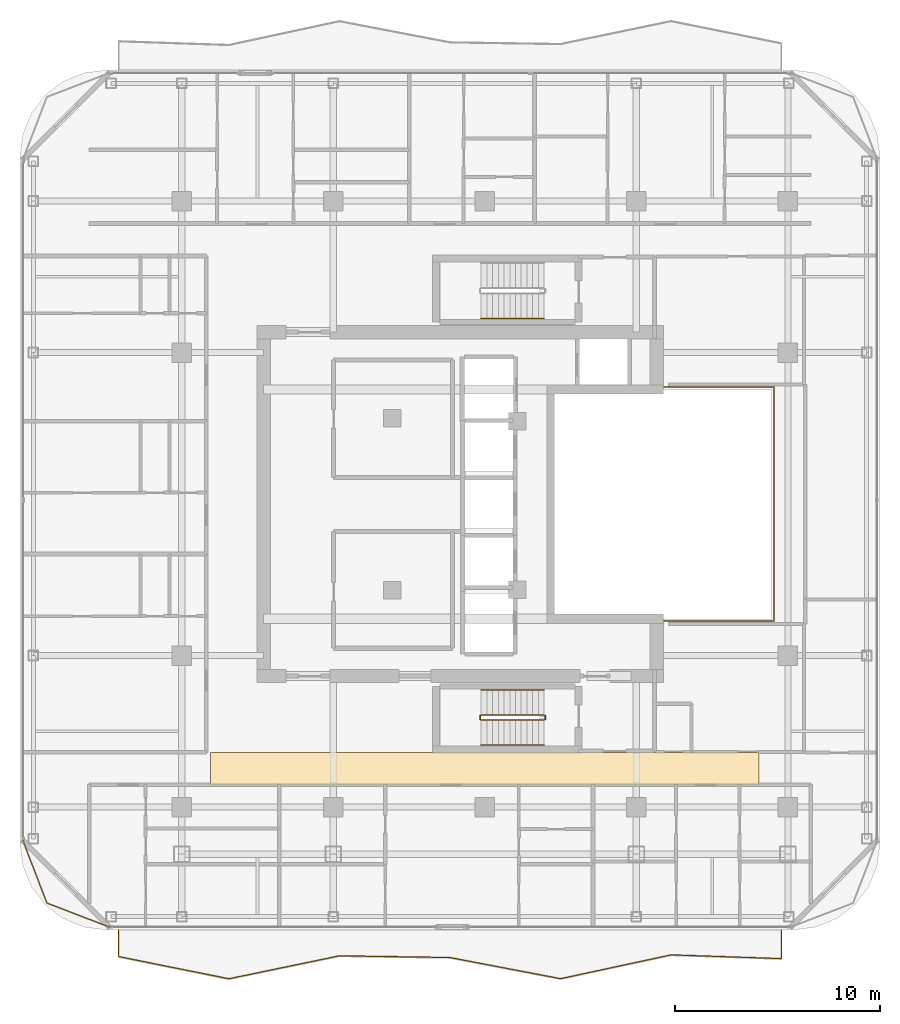
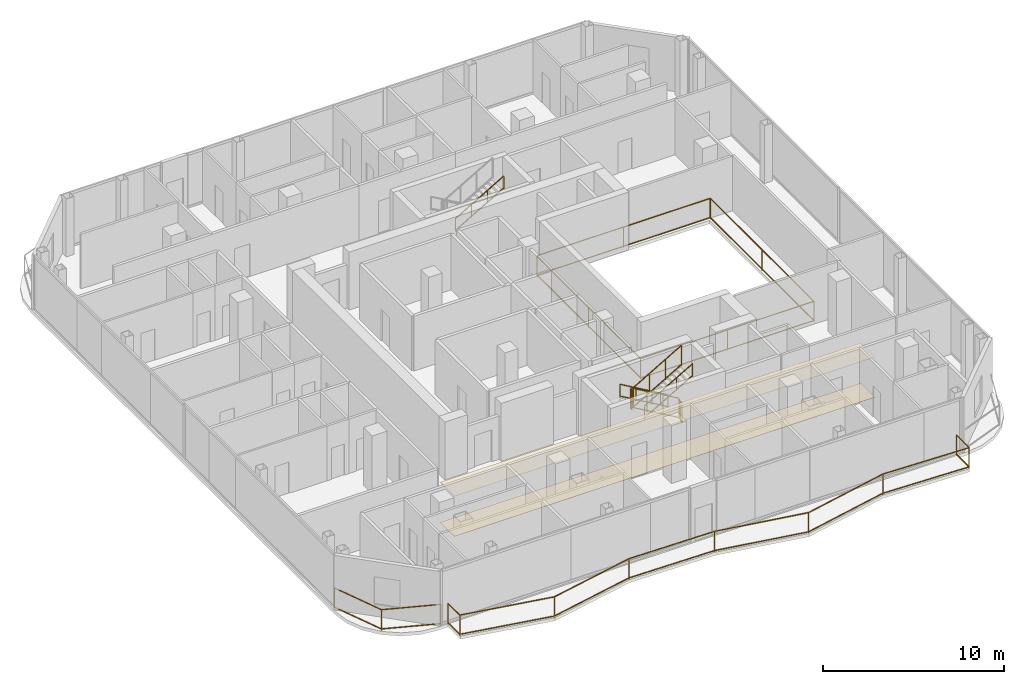
# One storey, part 21 of 23: 10 railings, 2 coverings.
"""IFC4 building model written with IfcOpenShell, lengths in metres."""

from ifc_helpers import new_model, si_unit, direction, frame, origin, origin_2d, place, context, subcontext, project, spatial, polyline, rectangle, outline, extrude, material, layer, layer_set, type_object, element, save


model = new_model("IFC4")

# Units and contexts
model_context = context("Model", 3, precision=1e-05, world=origin(), true_north=direction((0.0, 1.0)))
body_context = subcontext(model_context, "Body", "Model", "MODEL_VIEW")
ifc_project = project(units=[si_unit("LENGTHUNIT", "METRE"), si_unit("AREAUNIT", "SQUARE_METRE"), si_unit("VOLUMEUNIT", "CUBIC_METRE"), si_unit("PLANEANGLEUNIT", "RADIAN"), si_unit("MASSUNIT", "GRAM", prefix="KILO")], contexts=[model_context])

# Site, building, storey
site_placement = place(None, origin())
site = spatial("IfcSite", under=ifc_project, at=site_placement, CompositionType="ELEMENT")
building_placement = place(site_placement, origin())
building = spatial("IfcBuilding", under=site, at=building_placement, Name="Khorvyn Point Tower", CompositionType="ELEMENT")
storey_placement = place(building_placement, frame((0.0, 0.0, 297.60009765625)))
storey = spatial("IfcBuildingStorey", under=building, at=storey_placement, Name="L73", CompositionType="ELEMENT", Elevation=297.60009765625)

# Railings
ifc_material_1 = material(Name="Stainless steel 1.4401 and laminated glass", Category="steel")
railing_type_1 = type_object("IfcRailingType", Name="Crystal Atrium Smoke-Rated Perimeter Guardrail 1400", PredefinedType="GUARDRAIL", material=ifc_material_1)
railing_1_placement = place(storey_placement, frame((3.080078125, -5.719970703125, 0.0)))
element("IfcRailing", 1, at=railing_1_placement, inside=storey, type_object=railing_type_1, Name="L73 Crystal Atrium Perimeter Guardrail", PredefinedType="GUARDRAIL", context=body_context, shape_type="SweptSolid", body=[
    extrude(rectangle(XDim=0.048095703125, YDim=0.048095703125, at=origin_2d()), frame((0.0, 0.0, 1.3759765625), z_axis=(1.0, 0.0, 0.0), x_axis=(0.0, 1.0, 0.0)), (0.0, 0.0, 1.0), 11.0400390625),
    extrude(rectangle(XDim=0.048095703125, YDim=0.048095703125, at=origin_2d()), frame((0.0, 0.0, 0.080078125), z_axis=(1.0, 0.0, 0.0), x_axis=(0.0, 1.0, 0.0)), (0.0, 0.0, 1.0), 11.0400390625),
    extrude(rectangle(XDim=0.048095703125, YDim=0.048095703125, at=origin_2d()), frame((11.0400390625, 0.0, 1.3759765625), z_axis=(0.0, 1.0, 0.0), x_axis=(-1.0, 0.0, 0.0)), (0.0, 0.0, 1.0), 11.43994140625),
    extrude(rectangle(XDim=0.048095703125, YDim=0.048095703125, at=origin_2d()), frame((11.0400390625, 0.0, 0.080078125), z_axis=(0.0, 1.0, 0.0), x_axis=(-1.0, 0.0, 0.0)), (0.0, 0.0, 1.0), 11.43994140625),
    extrude(rectangle(XDim=0.048095703125, YDim=0.048095703125, at=origin_2d()), frame((11.0400390625, 11.43994140625, 1.3759765625), z_axis=(-1.0, 0.0, 0.0), x_axis=(0.0, -1.0, 0.0)), (0.0, 0.0, 1.0), 11.0400390625),
    extrude(rectangle(XDim=0.048095703125, YDim=0.048095703125, at=origin_2d()), frame((11.0400390625, 11.43994140625, 0.080078125), z_axis=(-1.0, 0.0, 0.0), x_axis=(0.0, -1.0, 0.0)), (0.0, 0.0, 1.0), 11.0400390625),
    extrude(rectangle(XDim=0.048095703125, YDim=0.048095703125, at=origin_2d()), frame((0.0, 11.43994140625, 1.3759765625), z_axis=(0.0, -1.0, 0.0), x_axis=(1.0, 0.0, 0.0)), (0.0, 0.0, 1.0), 11.409912109375),
    extrude(rectangle(XDim=0.048095703125, YDim=0.048095703125, at=origin_2d()), frame((0.0, 11.43994140625, 0.080078125), z_axis=(0.0, -1.0, 0.0), x_axis=(1.0, 0.0, 0.0)), (0.0, 0.0, 1.0), 11.409912109375),
    extrude(rectangle(XDim=0.0419921875, YDim=0.0419921875, at=origin_2d()), origin(), (0.0, 0.0, 1.0), 1.351806640625),
    extrude(rectangle(XDim=0.0419921875, YDim=0.0419921875, at=origin_2d()), frame((5.52001953125, 0.0, 0.0)), (0.0, 0.0, 1.0), 1.351806640625),
    extrude(rectangle(XDim=0.0419921875, YDim=0.0419921875, at=origin_2d()), frame((11.0400390625, 0.0, 0.0)), (0.0, 0.0, 1.0), 1.351806640625),
    extrude(rectangle(XDim=0.0419921875, YDim=0.0419921875, at=origin_2d()), frame((11.0400390625, 5.719970703125, 0.0)), (0.0, 0.0, 1.0), 1.351806640625),
    extrude(rectangle(XDim=0.0419921875, YDim=0.0419921875, at=origin_2d()), frame((11.0400390625, 11.43994140625, 0.0)), (0.0, 0.0, 1.0), 1.351806640625),
    extrude(rectangle(XDim=0.0419921875, YDim=0.0419921875, at=origin_2d()), frame((5.52001953125, 11.43994140625, 0.0)), (0.0, 0.0, 1.0), 1.351806640625),
    extrude(rectangle(XDim=0.0419921875, YDim=0.0419921875, at=origin_2d()), frame((0.0, 11.43994140625, 0.0)), (0.0, 0.0, 1.0), 1.351806640625),
    extrude(rectangle(XDim=0.0419921875, YDim=0.0419921875, at=origin_2d()), frame((0.0, 5.73486328125, 0.0)), (0.0, 0.0, 1.0), 1.351806640625),
    extrude(rectangle(XDim=0.0419921875, YDim=0.0419921875, at=origin_2d()), frame((0.0, 0.030029296875, 0.0)), (0.0, 0.0, 1.0), 1.351806640625),
])
ifc_material_2 = material(Name="Anodised aluminium 6063-T6 and laminated safety glass", Category="aluminium")
railing_type_2 = type_object("IfcRailingType", Name="Laminated Glass and Aluminium Balcony Guardrail 1400", PredefinedType="BALUSTRADE", material=ifc_material_2)
railing_2_placement = place(storey_placement, frame((-22.574462890625, -16.386474609375, 0.0)))
element("IfcRailing", 2, at=railing_2_placement, inside=storey, type_object=railing_type_2, Name="L73 Rounded Corner Edge Guardrail SW", PredefinedType="BALUSTRADE", context=body_context, shape_type="SweptSolid", body=[
    extrude(rectangle(XDim=0.048095703125, YDim=0.048095703125, at=origin_2d()), frame((0.0, 0.0, 1.3759765625), z_axis=(0.358367799998, -0.933580483903, 0.0), x_axis=(0.933580483903, 0.358367799998, 0.0)), (0.0, 0.0, 1.0), 3.319091796875),
    extrude(rectangle(XDim=0.048095703125, YDim=0.048095703125, at=origin_2d()), frame((0.0, 0.0, 0.080078125), z_axis=(0.358367799998, -0.933580483903, 0.0), x_axis=(0.933580483903, 0.358367799998, 0.0)), (0.0, 0.0, 1.0), 3.319091796875),
    extrude(rectangle(XDim=0.048095703125, YDim=0.048095703125, at=origin_2d()), frame((1.189453125, -3.0986328125, 1.3759765625), z_axis=(0.933595647299, -0.358328295484, 0.0), x_axis=(0.358328295484, 0.933595647299, 0.0)), (0.0, 0.0, 1.0), 3.31884765625),
    extrude(rectangle(XDim=0.048095703125, YDim=0.048095703125, at=origin_2d()), frame((1.189453125, -3.0986328125, 0.080078125), z_axis=(0.933595647299, -0.358328295484, 0.0), x_axis=(0.358328295484, 0.933595647299, 0.0)), (0.0, 0.0, 1.0), 3.31884765625),
    extrude(rectangle(XDim=0.0419921875, YDim=0.0419921875, at=origin_2d()), origin(), (0.0, 0.0, 1.0), 1.351806640625),
    extrude(rectangle(XDim=0.0419921875, YDim=0.0419921875, at=origin_2d()), frame((1.189453125, -3.0986328125, 0.0)), (0.0, 0.0, 1.0), 1.351806640625),
    extrude(rectangle(XDim=0.0419921875, YDim=0.0419921875, at=origin_2d()), frame((4.287841796875, -4.287841796875, 0.0)), (0.0, 0.0, 1.0), 1.351806640625),
])
railing_3_placement = place(storey_placement, frame((-17.89990234375, -20.800048828125, 0.0)))
element("IfcRailing", 3, at=railing_3_placement, inside=storey, type_object=railing_type_2, Name="L73 South Balcony Guardrail", PredefinedType="BALUSTRADE", context=body_context, shape_type="SweptSolid", body=[
    extrude(rectangle(XDim=0.048095703125, YDim=0.048095703125, at=origin_2d()), frame((0.0, 0.0, 1.3759765625), z_axis=(0.0, -1.0, 0.0), x_axis=(1.0, 0.0, 0.0)), (0.0, 0.0, 1.0), 1.294921875),
    extrude(rectangle(XDim=0.048095703125, YDim=0.048095703125, at=origin_2d()), frame((0.0, 0.0, 0.080078125), z_axis=(0.0, -1.0, 0.0), x_axis=(1.0, 0.0, 0.0)), (0.0, 0.0, 1.0), 1.294921875),
    extrude(rectangle(XDim=0.048095703125, YDim=0.048095703125, at=origin_2d()), frame((0.0, -1.294921875, 1.3759765625), z_axis=(0.980320704809, -0.197411538983, 0.0), x_axis=(0.197411538983, 0.980320704809, 0.0)), (0.0, 0.0, 1.0), 5.50830078125),
    extrude(rectangle(XDim=0.048095703125, YDim=0.048095703125, at=origin_2d()), frame((0.0, -1.294921875, 0.080078125), z_axis=(0.980320704809, -0.197411538983, 0.0), x_axis=(0.197411538983, 0.980320704809, 0.0)), (0.0, 0.0, 1.0), 5.50830078125),
    extrude(rectangle(XDim=0.048095703125, YDim=0.048095703125, at=origin_2d()), frame((5.39990234375, -2.38232421875, 1.3759765625), z_axis=(0.979164905704, 0.203066706866, 0.0), x_axis=(-0.203066706866, 0.979164905704, 0.0)), (0.0, 0.0, 1.0), 5.514892578125),
    extrude(rectangle(XDim=0.048095703125, YDim=0.048095703125, at=origin_2d()), frame((5.39990234375, -2.38232421875, 0.080078125), z_axis=(0.979164905704, 0.203066706866, 0.0), x_axis=(-0.203066706866, 0.979164905704, 0.0)), (0.0, 0.0, 1.0), 5.514892578125),
    extrude(rectangle(XDim=0.048095703125, YDim=0.048095703125, at=origin_2d()), frame((10.7998046875, -1.262451171875, 1.3759765625), z_axis=(0.99988188096, -0.015369584499, 0.0), x_axis=(0.015369584499, 0.99988188096, 0.0)), (0.0, 0.0, 1.0), 5.40087890625),
    extrude(rectangle(XDim=0.048095703125, YDim=0.048095703125, at=origin_2d()), frame((10.7998046875, -1.262451171875, 0.080078125), z_axis=(0.99988188096, -0.015369584499, 0.0), x_axis=(0.015369584499, 0.99988188096, 0.0)), (0.0, 0.0, 1.0), 5.40087890625),
    extrude(rectangle(XDim=0.048095703125, YDim=0.048095703125, at=origin_2d()), frame((16.199951171875, -1.345458984375, 1.3759765625), z_axis=(0.982190951701, -0.187885428911, 0.0), x_axis=(0.187885428911, 0.982190951701, 0.0)), (0.0, 0.0, 1.0), 5.497802734375),
    extrude(rectangle(XDim=0.048095703125, YDim=0.048095703125, at=origin_2d()), frame((16.199951171875, -1.345458984375, 0.080078125), z_axis=(0.982190951701, -0.187885428911, 0.0), x_axis=(0.187885428911, 0.982190951701, 0.0)), (0.0, 0.0, 1.0), 5.497802734375),
    extrude(rectangle(XDim=0.048095703125, YDim=0.048095703125, at=origin_2d()), frame((21.599853515625, -2.37841796875, 1.3759765625), z_axis=(0.977609904647, 0.210425460284, 0.0), x_axis=(-0.210425460284, 0.977609904647, 0.0)), (0.0, 0.0, 1.0), 5.52392578125),
    extrude(rectangle(XDim=0.048095703125, YDim=0.048095703125, at=origin_2d()), frame((21.599853515625, -2.37841796875, 0.080078125), z_axis=(0.977609904647, 0.210425460284, 0.0), x_axis=(-0.210425460284, 0.977609904647, 0.0)), (0.0, 0.0, 1.0), 5.52392578125),
    extrude(rectangle(XDim=0.048095703125, YDim=0.048095703125, at=origin_2d()), frame((27.0, -1.216064453125, 1.3759765625), z_axis=(0.999434730171, -0.033618746688, 0.0), x_axis=(0.033618746688, 0.999434730171, 0.0)), (0.0, 0.0, 1.0), 5.403076171875),
    extrude(rectangle(XDim=0.048095703125, YDim=0.048095703125, at=origin_2d()), frame((27.0, -1.216064453125, 0.080078125), z_axis=(0.999434730171, -0.033618746688, 0.0), x_axis=(0.033618746688, 0.999434730171, 0.0)), (0.0, 0.0, 1.0), 5.403076171875),
    extrude(rectangle(XDim=0.048095703125, YDim=0.048095703125, at=origin_2d()), frame((32.39990234375, -1.397705078125, 1.3759765625), z_axis=(0.0, 1.0, 0.0), x_axis=(-1.0, 0.0, 0.0)), (0.0, 0.0, 1.0), 1.397705078125),
    extrude(rectangle(XDim=0.048095703125, YDim=0.048095703125, at=origin_2d()), frame((32.39990234375, -1.397705078125, 0.080078125), z_axis=(0.0, 1.0, 0.0), x_axis=(-1.0, 0.0, 0.0)), (0.0, 0.0, 1.0), 1.397705078125),
    extrude(rectangle(XDim=0.0419921875, YDim=0.0419921875, at=origin_2d()), origin(), (0.0, 0.0, 1.0), 1.351806640625),
    extrude(rectangle(XDim=0.0419921875, YDim=0.0419921875, at=origin_2d()), frame((0.0, -1.294921875, 0.0)), (0.0, 0.0, 1.0), 1.351806640625),
    extrude(rectangle(XDim=0.0419921875, YDim=0.0419921875, at=origin_2d()), frame((5.39990234375, -2.38232421875, 0.0)), (0.0, 0.0, 1.0), 1.351806640625),
    extrude(rectangle(XDim=0.0419921875, YDim=0.0419921875, at=origin_2d()), frame((10.7998046875, -1.262451171875, 0.0)), (0.0, 0.0, 1.0), 1.351806640625),
    extrude(rectangle(XDim=0.0419921875, YDim=0.0419921875, at=origin_2d()), frame((16.199951171875, -1.345458984375, 0.0)), (0.0, 0.0, 1.0), 1.351806640625),
    extrude(rectangle(XDim=0.0419921875, YDim=0.0419921875, at=origin_2d()), frame((21.599853515625, -2.37841796875, 0.0)), (0.0, 0.0, 1.0), 1.351806640625),
    extrude(rectangle(XDim=0.0419921875, YDim=0.0419921875, at=origin_2d()), frame((27.0, -1.216064453125, 0.0)), (0.0, 0.0, 1.0), 1.351806640625),
    extrude(rectangle(XDim=0.0419921875, YDim=0.0419921875, at=origin_2d()), frame((32.39990234375, -1.397705078125, 0.0)), (0.0, 0.0, 1.0), 1.351806640625),
    extrude(rectangle(XDim=0.0419921875, YDim=0.0419921875, at=origin_2d()), frame((32.39990234375, 0.0, 0.0)), (0.0, 0.0, 1.0), 1.351806640625),
])

# Coverings
ifc_material_3 = material(Name="Mineral-fibre acoustic ceiling board", Category="gypsum")
ifc_layer_1 = layer(ifc_material_3, 0.02001953125)
ifc_layer_set_1 = layer_set([ifc_layer_1], Name="Perforated Mineral-Fibre Acoustic Suspended Ceiling 20")
covering_type_1 = type_object("IfcCoveringType", Name="Perforated Mineral-Fibre Acoustic Suspended Ceiling 20", PredefinedType="CEILING", material=ifc_layer_set_1)
covering_1_placement = place(storey_placement, frame((0.0, 0.0, 2.699951171875)))
element("IfcCovering", 4, at=covering_1_placement, inside=storey, type_object=covering_type_1, Name="L73 South Corridor Acoustic Ceiling", PredefinedType="CEILING", context=body_context, shape_type="SweptSolid", body=[
    extrude(outline(polyline([(-13.39990234375, -13.7099609375), (13.39990234375, -13.7099609375), (13.39990234375, -12.139892578125), (-13.39990234375, -12.139892578125), (-13.39990234375, -13.7099609375)])), origin(), (0.0, 0.0, 1.0), 0.02001953125),
])
ifc_material_4 = material(Name="Vitrified porcelain terrazzo tile", Category="ceramic")
ifc_layer_2 = layer(ifc_material_4, 0.01806640625)
ifc_layer_set_2 = layer_set([ifc_layer_2], Name="Porcelain Terrazzo Corridor Floor Finish Tile 18")
covering_type_2 = type_object("IfcCoveringType", Name="Porcelain Terrazzo Corridor Floor Finish Tile 18", PredefinedType="FLOORING", material=ifc_layer_set_2)
covering_2_placement = place(storey_placement, origin())
element("IfcCovering", 5, at=covering_2_placement, inside=storey, type_object=covering_type_2, Name="L73 South Corridor Terrazzo Flooring", PredefinedType="FLOORING", context=body_context, shape_type="SweptSolid", body=[
    extrude(outline(polyline([(-13.39990234375, -13.7099609375), (13.39990234375, -13.7099609375), (13.39990234375, -12.139892578125), (-13.39990234375, -12.139892578125), (-13.39990234375, -13.7099609375)])), origin(), (0.0, 0.0, 1.0), 0.017822265625),
])

# Railings
ifc_material_5 = material(Name="Stainless steel 1.4301", Category="steel")
railing_type_3 = type_object("IfcRailingType", Name="Stainless Steel 304 Stair Pitch Handrail 900", PredefinedType="HANDRAIL", material=ifc_material_5)
railing_4_placement = place(storey_placement, frame((2.89990234375, -9.070068359375, 0.162353515625)))
element("IfcRailing", 6, at=railing_4_placement, inside=storey, type_object=railing_type_3, Name="L73 ST-01 stair handrail 1", PredefinedType="HANDRAIL", context=body_context, shape_type="SweptSolid", body=[
    extrude(rectangle(XDim=0.048095703125, YDim=0.048095703125, at=origin_2d()), frame((0.0, 0.0, 0.8759765625), z_axis=(-0.864873446163, 0.0, 0.501989962173), x_axis=(0.0, -1.0, 0.0)), (0.0, 0.0, 1.0), 3.56103515625),
    extrude(rectangle(XDim=0.048095703125, YDim=0.048095703125, at=origin_2d()), frame((0.0, 0.0, 0.080078125), z_axis=(-0.864873446163, 0.0, 0.501989962173), x_axis=(0.0, -1.0, 0.0)), (0.0, 0.0, 1.0), 3.56103515625),
    extrude(rectangle(XDim=0.0419921875, YDim=0.0419921875, at=origin_2d()), origin(), (0.0, 0.0, 1.0), 0.851806640625),
    extrude(rectangle(XDim=0.0419921875, YDim=0.0419921875, at=origin_2d()), frame((-1.026611328125, 0.0, 0.595947265625)), (0.0, 0.0, 1.0), 0.851806640625),
    extrude(rectangle(XDim=0.0419921875, YDim=0.0419921875, at=origin_2d()), frame((-2.05322265625, 0.0, 1.191650390625)), (0.0, 0.0, 1.0), 0.851806640625),
    extrude(rectangle(XDim=0.0419921875, YDim=0.0419921875, at=origin_2d()), frame((-3.079833984375, 0.0, 1.78759765625)), (0.0, 0.0, 1.0), 0.851806640625),
])
for number, where, name in (
    (7, (-0.179931640625, -11.77001953125, 2.1123046875), "L73 ST-01 stair handrail 2"),
    (8, (-0.179931640625, 9.070068359375, 2.1123046875), "L73 ST-02 stair handrail 2"),
):
    element("IfcRailing", number, at=place(storey_placement, frame(where)), inside=storey, type_object=railing_type_3, Name=name, PredefinedType="HANDRAIL", context=body_context, shape_type="SweptSolid", body=[
        extrude(rectangle(XDim=0.048095703125, YDim=0.048095703125, at=origin_2d()), frame((0.0, 0.0, 0.8759765625), z_axis=(0.864873446163, 0.0, 0.501989962173), x_axis=(0.0, 1.0, 0.0)), (0.0, 0.0, 1.0), 3.56103515625),
        extrude(rectangle(XDim=0.048095703125, YDim=0.048095703125, at=origin_2d()), frame((0.0, 0.0, 0.080078125), z_axis=(0.864873446163, 0.0, 0.501989962173), x_axis=(0.0, 1.0, 0.0)), (0.0, 0.0, 1.0), 3.56103515625),
        extrude(rectangle(XDim=0.0419921875, YDim=0.0419921875, at=origin_2d()), origin(), (0.0, 0.0, 1.0), 0.851806640625),
        extrude(rectangle(XDim=0.0419921875, YDim=0.0419921875, at=origin_2d()), frame((1.026611328125, 0.0, 0.595947265625)), (0.0, 0.0, 1.0), 0.851806640625),
        extrude(rectangle(XDim=0.0419921875, YDim=0.0419921875, at=origin_2d()), frame((2.05322265625, 0.0, 1.191650390625)), (0.0, 0.0, 1.0), 0.851806640625),
        extrude(rectangle(XDim=0.0419921875, YDim=0.0419921875, at=origin_2d()), frame((3.079833984375, 0.0, 1.78759765625)), (0.0, 0.0, 1.0), 0.851806640625),
    ])
railing_type_4 = type_object("IfcRailingType", Name="Stainless Steel 304 Stair Well Guardrail 1400", PredefinedType="GUARDRAIL", material=ifc_material_5)
railing_5_placement = place(storey_placement, frame((2.89990234375, -10.2900390625, 0.162353515625)))
element("IfcRailing", 9, at=railing_5_placement, inside=storey, type_object=railing_type_4, Name="L73 ST-01 stair guard 1", PredefinedType="GUARDRAIL", context=body_context, shape_type="SweptSolid", body=[
    extrude(rectangle(XDim=0.048095703125, YDim=0.048095703125, at=origin_2d()), frame((0.0, 0.0, 1.3759765625), z_axis=(-0.864873446163, 0.0, 0.501989962173), x_axis=(0.0, -1.0, 0.0)), (0.0, 0.0, 1.0), 3.56103515625),
    extrude(rectangle(XDim=0.048095703125, YDim=0.048095703125, at=origin_2d()), frame((0.0, 0.0, 0.080078125), z_axis=(-0.864873446163, 0.0, 0.501989962173), x_axis=(0.0, -1.0, 0.0)), (0.0, 0.0, 1.0), 3.56103515625),
    extrude(rectangle(XDim=0.0419921875, YDim=0.0419921875, at=origin_2d()), origin(), (0.0, 0.0, 1.0), 1.351806640625),
    extrude(rectangle(XDim=0.0419921875, YDim=0.0419921875, at=origin_2d()), frame((-1.026611328125, 0.0, 0.595947265625)), (0.0, 0.0, 1.0), 1.351806640625),
    extrude(rectangle(XDim=0.0419921875, YDim=0.0419921875, at=origin_2d()), frame((-2.05322265625, 0.0, 1.191650390625)), (0.0, 0.0, 1.0), 1.351806640625),
    extrude(rectangle(XDim=0.0419921875, YDim=0.0419921875, at=origin_2d()), frame((-3.079833984375, 0.0, 1.78759765625)), (0.0, 0.0, 1.0), 1.351806640625),
])
railing_6_placement = place(storey_placement, frame((-0.22998046875, -10.340087890625, 1.949951171875)))
element("IfcRailing", 10, at=railing_6_placement, inside=storey, type_object=railing_type_4, Name="L73 ST-01 stair guard 2", PredefinedType="GUARDRAIL", context=body_context, shape_type="SweptSolid", body=[
    extrude(rectangle(XDim=0.048095703125, YDim=0.048095703125, at=origin_2d()), frame((0.0, 0.0, 1.3759765625), z_axis=(0.0, -1.0, 0.0), x_axis=(1.0, 0.0, 0.0)), (0.0, 0.0, 1.0), 0.159912109375),
    extrude(rectangle(XDim=0.048095703125, YDim=0.048095703125, at=origin_2d()), frame((0.0, 0.0, 0.080078125), z_axis=(0.0, -1.0, 0.0), x_axis=(1.0, 0.0, 0.0)), (0.0, 0.0, 1.0), 0.159912109375),
    extrude(rectangle(XDim=0.0419921875, YDim=0.0419921875, at=origin_2d()), origin(), (0.0, 0.0, 1.0), 1.351806640625),
    extrude(rectangle(XDim=0.0419921875, YDim=0.0419921875, at=origin_2d()), frame((0.0, -0.159912109375, 0.0)), (0.0, 0.0, 1.0), 1.351806640625),
])
railing_7_placement = place(storey_placement, frame((-0.179931640625, -10.550048828125, 2.1123046875)))
element("IfcRailing", 11, at=railing_7_placement, inside=storey, type_object=railing_type_4, Name="L73 ST-01 stair guard 3", PredefinedType="GUARDRAIL", context=body_context, shape_type="SweptSolid", body=[
    extrude(rectangle(XDim=0.048095703125, YDim=0.048095703125, at=origin_2d()), frame((0.0, 0.0, 1.3759765625), z_axis=(0.864873446163, 0.0, 0.501989962173), x_axis=(0.0, 1.0, 0.0)), (0.0, 0.0, 1.0), 3.56103515625),
    extrude(rectangle(XDim=0.048095703125, YDim=0.048095703125, at=origin_2d()), frame((0.0, 0.0, 0.080078125), z_axis=(0.864873446163, 0.0, 0.501989962173), x_axis=(0.0, 1.0, 0.0)), (0.0, 0.0, 1.0), 3.56103515625),
    extrude(rectangle(XDim=0.0419921875, YDim=0.0419921875, at=origin_2d()), origin(), (0.0, 0.0, 1.0), 1.351806640625),
    extrude(rectangle(XDim=0.0419921875, YDim=0.0419921875, at=origin_2d()), frame((1.026611328125, 0.0, 0.595947265625)), (0.0, 0.0, 1.0), 1.351806640625),
    extrude(rectangle(XDim=0.0419921875, YDim=0.0419921875, at=origin_2d()), frame((2.05322265625, 0.0, 1.191650390625)), (0.0, 0.0, 1.0), 1.351806640625),
    extrude(rectangle(XDim=0.0419921875, YDim=0.0419921875, at=origin_2d()), frame((3.079833984375, 0.0, 1.78759765625)), (0.0, 0.0, 1.0), 1.351806640625),
])
railing_8_placement = place(storey_placement, frame((2.949951171875, -10.340087890625, 0.0)))
element("IfcRailing", 12, at=railing_8_placement, inside=storey, type_object=railing_type_4, Name="L73 ST-01 stair guard 4", PredefinedType="GUARDRAIL", context=body_context, shape_type="SweptSolid", body=[
    extrude(rectangle(XDim=0.048095703125, YDim=0.048095703125, at=origin_2d()), frame((0.0, 0.0, 1.3759765625), z_axis=(0.0, -1.0, 0.0), x_axis=(1.0, 0.0, 0.0)), (0.0, 0.0, 1.0), 0.159912109375),
    extrude(rectangle(XDim=0.048095703125, YDim=0.048095703125, at=origin_2d()), frame((0.0, 0.0, 0.080078125), z_axis=(0.0, -1.0, 0.0), x_axis=(1.0, 0.0, 0.0)), (0.0, 0.0, 1.0), 0.159912109375),
    extrude(rectangle(XDim=0.0419921875, YDim=0.0419921875, at=origin_2d()), origin(), (0.0, 0.0, 1.0), 1.351806640625),
    extrude(rectangle(XDim=0.0419921875, YDim=0.0419921875, at=origin_2d()), frame((0.0, -0.159912109375, 0.0)), (0.0, 0.0, 1.0), 1.351806640625),
])

save(model, "model.ifc")
